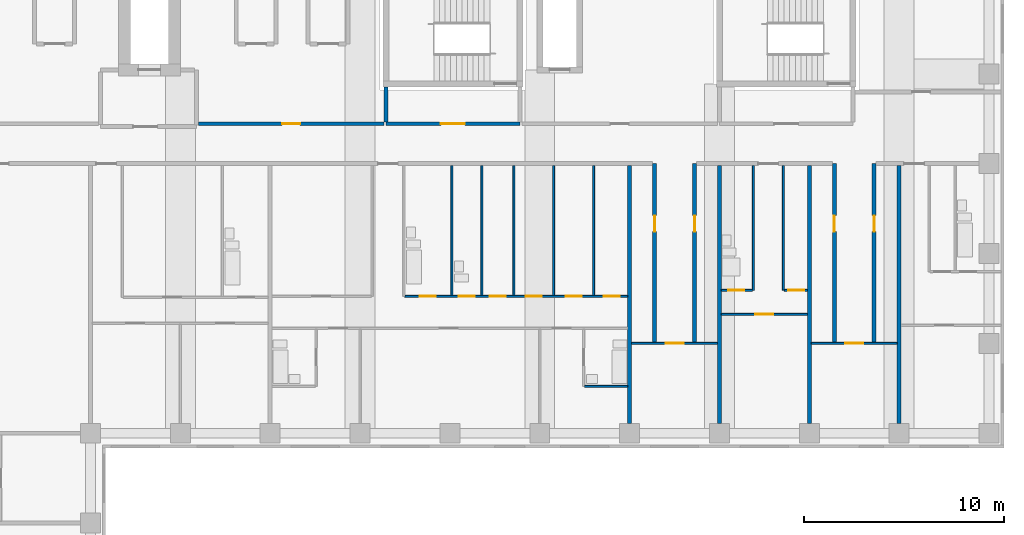
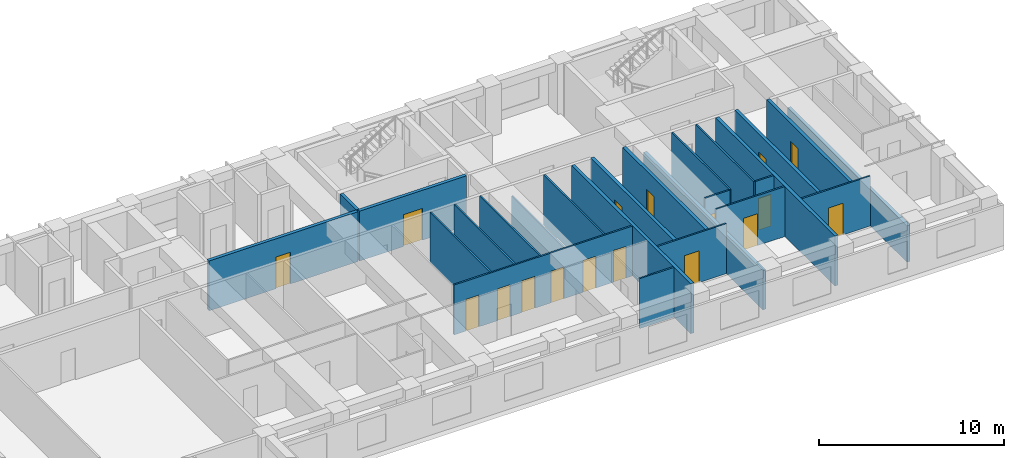
# One storey, part 7 of 12: 25 walls, 17 doors, 17 openings.
"""IFC4 building model written with IfcOpenShell, lengths in metres."""

from ifc_helpers import new_model, si_unit, direction, frame, frame_2d, origin, place, context, subcontext, project, spatial, rectangle, extrude, material, layer, layer_set, type_object, element, fill, save


model = new_model("IFC4")

# Units and contexts
model_context = context("Model", 3, precision=1e-05, world=origin(), true_north=direction((0.0, 1.0)))
body_context = subcontext(model_context, "Body", "Model", "MODEL_VIEW")
ifc_project = project(units=[si_unit("LENGTHUNIT", "METRE"), si_unit("AREAUNIT", "SQUARE_METRE"), si_unit("VOLUMEUNIT", "CUBIC_METRE"), si_unit("PLANEANGLEUNIT", "RADIAN"), si_unit("MASSUNIT", "GRAM", prefix="KILO")], contexts=[model_context])

# Site, building, storey
site_placement = place(None, origin())
site = spatial("IfcSite", under=ifc_project, at=site_placement, CompositionType="ELEMENT")
building_placement = place(site_placement, origin())
building = spatial("IfcBuilding", under=site, at=building_placement, Name="Firuza Court", CompositionType="ELEMENT")
storey_placement = place(building_placement, frame((0.0, 0.0, 126.800048828125)))
storey = spatial("IfcBuildingStorey", under=building, at=storey_placement, Name="L31", CompositionType="ELEMENT", Elevation=126.800048828125)

# Walls
ifc_material_1 = material(Name="Moisture-resistant gypsum board partition")
ifc_layer_1 = layer(ifc_material_1, 0.10009765625)
ifc_layer_set_1 = layer_set([ifc_layer_1], Name="Moisture-resistant gypsum board partition")
wall_type_1 = type_object("IfcWallType", Name="Bathroom partition 100", PredefinedType="PLUMBINGWALL", material=ifc_layer_set_1)
wall_1_placement = place(storey_placement, frame((47.25, 38.35009765625, 0.0), z_axis=(0.0, 0.0, 1.0), x_axis=(1.0, 0.0, 0.0)))
element("IfcWall", 1, at=wall_1_placement, inside=storey, type_object=wall_type_1, Name="Bathroom partition 100 L31", PredefinedType="PLUMBINGWALL", context=body_context, shape_type="SweptSolid", body=[
    extrude(rectangle(XDim=2.14990234375, YDim=0.10009765625, at=frame_2d((1.074951171875, 0.0))), origin(), (0.0, 0.0, 1.0), 3.300048828125),
])
for number, where, z_axis, x_axis, name in (
    (2, (40.60009765625, 42.89990234375, 0.0), (0.0, 0.0, 1.0), (0.0, 1.0, 0.0), "Bathroom partition 100 L31"),
    (3, (42.10009765625, 42.89990234375, 0.0), (0.0, 0.0, 1.0), (0.0, 1.0, 0.0), "Bathroom partition 100 L31"),
):
    element("IfcWall", number, at=place(storey_placement, frame(where, z_axis=z_axis, x_axis=x_axis)), inside=storey, type_object=wall_type_1, Name=name, PredefinedType="PLUMBINGWALL", context=body_context, shape_type="SweptSolid", body=[
        extrude(rectangle(XDim=6.5, YDim=0.10009765625, at=frame_2d((3.25, 0.0))), origin(), (0.0, 0.0, 1.0), 3.300048828125),
    ])
wall_2_placement = place(storey_placement, frame((55.699951171875, 43.14990234375, 0.0), z_axis=(0.0, 0.0, 1.0), x_axis=(0.0, 1.0, 0.0)))
element("IfcWall", 4, at=wall_2_placement, inside=storey, type_object=wall_type_1, Name="Bathroom partition 100 L31", PredefinedType="PLUMBINGWALL", context=body_context, shape_type="SweptSolid", body=[
    extrude(rectangle(XDim=6.25, YDim=0.10009765625, at=frame_2d((3.125, 0.0))), origin(), (0.0, 0.0, 1.0), 3.300048828125),
])

# Wall, opening, door
ifc_material_2 = material(Name="Blockwork, plastered both sides", Category="masonry")
ifc_layer_2 = layer(ifc_material_2, 0.199951171875)
ifc_layer_set_2 = layer_set([ifc_layer_2], Name="Blockwork, plastered both sides")
wall_type_2 = type_object("IfcWallType", Name="Corridor wall 200", PredefinedType="PARTITIONING", material=ifc_layer_set_2)
wall_3_placement = place(storey_placement, frame((50.75, 40.550048828125, 0.0), z_axis=(0.0, 0.0, 1.0), x_axis=(0.0, 1.0, 0.0)))
wall_3 = element("IfcWall", 5, at=wall_3_placement, inside=storey, type_object=wall_type_2, Name="Corridor wall 200 L31", PredefinedType="PARTITIONING", context=body_context, shape_type="SweptSolid", body=[
    extrude(rectangle(XDim=8.949951171875, YDim=0.199951171875, at=frame_2d((4.47509765625, 0.0))), origin(), (0.0, 0.0, 1.0), 3.300048828125),
])
opening_1_placement = place(wall_3_placement, frame((5.550048828125, 0.0, 0.0)))
opening_1 = element("IfcOpeningElement", 6, at=opening_1_placement, cuts=wall_3, Name="Opening D31042", PredefinedType="OPENING", context=body_context, shape_type="SweptSolid", body=[
    extrude(rectangle(XDim=0.800048828125, YDim=2.10009765625, at=frame_2d((0.39990234375, 1.050048828125))), frame((0.0, 0.11181640625, 0.0), z_axis=(0.0, -1.0, 0.0), x_axis=(1.0, 0.0, 0.0)), (0.0, 0.0, 1.0), 0.223876953125),
])
ifc_material_3 = material(Name="Timber door leaf in hardwood frame", Category="wood")
door_type_1 = type_object("IfcDoorType", Name="Room door 800 EI 30", OperationType="SINGLE_SWING_LEFT", PredefinedType="DOOR", material=ifc_material_3)
door_1_placement = place(opening_1_placement, origin())
door_1 = element("IfcDoor", 7, at=door_1_placement, inside=storey, type_object=door_type_1, Name="Store door", OperationType="SINGLE_SWING_RIGHT", OverallHeight=2.10009765625, OverallWidth=0.800048828125, PredefinedType="DOOR", context=body_context, shape_type="SweptSolid", body=[
    extrude(rectangle(XDim=0.800048828125, YDim=2.10009765625, at=frame_2d((0.39990234375, 1.050048828125))), frame((0.0, 0.02490234375, 0.0), z_axis=(0.0, -1.0, 0.0), x_axis=(1.0, 0.0, 0.0)), (0.0, 0.0, 1.0), 0.050048828125),
])
fill(opening_1, door_1)

wall_4_placement = place(storey_placement, frame((52.75, 40.550048828125, 0.0), z_axis=(0.0, 0.0, 1.0), x_axis=(0.0, 1.0, 0.0)))
wall_4 = element("IfcWall", 8, at=wall_4_placement, inside=storey, type_object=wall_type_2, Name="Corridor wall 200 L31", PredefinedType="PARTITIONING", context=body_context, shape_type="SweptSolid", body=[
    extrude(rectangle(XDim=8.949951171875, YDim=0.199951171875, at=frame_2d((4.47509765625, 0.0))), origin(), (0.0, 0.0, 1.0), 3.300048828125),
])
opening_2_placement = place(wall_4_placement, frame((5.550048828125, 0.0, 0.0)))
opening_2 = element("IfcOpeningElement", 9, at=opening_2_placement, cuts=wall_4, Name="Opening D31043", PredefinedType="OPENING", context=body_context, shape_type="SweptSolid", body=[
    extrude(rectangle(XDim=0.800048828125, YDim=2.10009765625, at=frame_2d((0.39990234375, 1.050048828125))), frame((0.0, 0.11181640625, 0.0), z_axis=(0.0, -1.0, 0.0), x_axis=(1.0, 0.0, 0.0)), (0.0, 0.0, 1.0), 0.223876953125),
])
door_2_placement = place(opening_2_placement, frame((0.800048828125, 0.0, 0.0), z_axis=(0.0, 0.0, 1.0), x_axis=(-1.0, 0.0, 0.0)))
door_2 = element("IfcDoor", 10, at=door_2_placement, inside=storey, type_object=door_type_1, Name="Store door", OperationType="SINGLE_SWING_LEFT", OverallHeight=2.10009765625, OverallWidth=0.800048828125, PredefinedType="DOOR", context=body_context, shape_type="SweptSolid", body=[
    extrude(rectangle(XDim=0.800048828125, YDim=2.10009765625, at=frame_2d((0.39990234375, 1.050048828125))), frame((0.0, 0.02490234375, 0.0), z_axis=(0.0, -1.0, 0.0), x_axis=(1.0, 0.0, 0.0)), (0.0, 0.0, 1.0), 0.050048828125),
])
fill(opening_2, door_2)

wall_5_placement = place(storey_placement, frame((59.75, 40.550048828125, 0.0), z_axis=(0.0, 0.0, 1.0), x_axis=(0.0, 1.0, 0.0)))
wall_5 = element("IfcWall", 11, at=wall_5_placement, inside=storey, type_object=wall_type_2, Name="Corridor wall 200 L31", PredefinedType="PARTITIONING", context=body_context, shape_type="SweptSolid", body=[
    extrude(rectangle(XDim=8.949951171875, YDim=0.199951171875, at=frame_2d((4.47509765625, 0.0))), origin(), (0.0, 0.0, 1.0), 3.300048828125),
])
opening_3_placement = place(wall_5_placement, frame((5.550048828125, 0.0, 0.0)))
opening_3 = element("IfcOpeningElement", 12, at=opening_3_placement, cuts=wall_5, Name="Opening D31044", PredefinedType="OPENING", context=body_context, shape_type="SweptSolid", body=[
    extrude(rectangle(XDim=0.800048828125, YDim=2.10009765625, at=frame_2d((0.39990234375, 1.050048828125))), frame((0.0, 0.11181640625, 0.0), z_axis=(0.0, -1.0, 0.0), x_axis=(1.0, 0.0, 0.0)), (0.0, 0.0, 1.0), 0.223876953125),
])
door_3_placement = place(opening_3_placement, origin())
door_3 = element("IfcDoor", 13, at=door_3_placement, inside=storey, type_object=door_type_1, Name="Store door", OperationType="SINGLE_SWING_RIGHT", OverallHeight=2.10009765625, OverallWidth=0.800048828125, PredefinedType="DOOR", context=body_context, shape_type="SweptSolid", body=[
    extrude(rectangle(XDim=0.800048828125, YDim=2.10009765625, at=frame_2d((0.39990234375, 1.050048828125))), frame((0.0, 0.02490234375, 0.0), z_axis=(0.0, -1.0, 0.0), x_axis=(1.0, 0.0, 0.0)), (0.0, 0.0, 1.0), 0.050048828125),
])
fill(opening_3, door_3)

wall_6_placement = place(storey_placement, frame((61.75, 40.550048828125, 0.0), z_axis=(0.0, 0.0, 1.0), x_axis=(0.0, 1.0, 0.0)))
wall_6 = element("IfcWall", 14, at=wall_6_placement, inside=storey, type_object=wall_type_2, Name="Corridor wall 200 L31", PredefinedType="PARTITIONING", context=body_context, shape_type="SweptSolid", body=[
    extrude(rectangle(XDim=8.949951171875, YDim=0.199951171875, at=frame_2d((4.47509765625, 0.0))), origin(), (0.0, 0.0, 1.0), 3.300048828125),
])
opening_4_placement = place(wall_6_placement, frame((5.550048828125, 0.0, 0.0)))
opening_4 = element("IfcOpeningElement", 15, at=opening_4_placement, cuts=wall_6, Name="Opening D31045", PredefinedType="OPENING", context=body_context, shape_type="SweptSolid", body=[
    extrude(rectangle(XDim=0.800048828125, YDim=2.10009765625, at=frame_2d((0.39990234375, 1.050048828125))), frame((0.0, 0.11181640625, 0.0), z_axis=(0.0, -1.0, 0.0), x_axis=(1.0, 0.0, 0.0)), (0.0, 0.0, 1.0), 0.223876953125),
])
door_4_placement = place(opening_4_placement, frame((0.800048828125, 0.0, 0.0), z_axis=(0.0, 0.0, 1.0), x_axis=(-1.0, 0.0, 0.0)))
door_4 = element("IfcDoor", 16, at=door_4_placement, inside=storey, type_object=door_type_1, Name="Store door", OperationType="SINGLE_SWING_LEFT", OverallHeight=2.10009765625, OverallWidth=0.800048828125, PredefinedType="DOOR", context=body_context, shape_type="SweptSolid", body=[
    extrude(rectangle(XDim=0.800048828125, YDim=2.10009765625, at=frame_2d((0.39990234375, 1.050048828125))), frame((0.0, 0.02490234375, 0.0), z_axis=(0.0, -1.0, 0.0), x_axis=(1.0, 0.0, 0.0)), (0.0, 0.0, 1.0), 0.050048828125),
])
fill(opening_4, door_4)

wall_7_placement = place(storey_placement, frame((27.89990234375, 51.5, 0.0), z_axis=(0.0, 0.0, 1.0), x_axis=(1.0, 0.0, 0.0)))
wall_7 = element("IfcWall", 17, at=wall_7_placement, inside=storey, type_object=wall_type_2, Name="Corridor wall 200 L31", PredefinedType="PARTITIONING", context=body_context, shape_type="SweptSolid", body=[
    extrude(rectangle(XDim=9.300048828125, YDim=0.199951171875, at=frame_2d((4.64990234375, 0.0))), origin(), (0.0, 0.0, 1.0), 3.300048828125),
])
opening_5_placement = place(wall_7_placement, frame((4.199951171875, 0.0, 0.0)))
opening_5 = element("IfcOpeningElement", 18, at=opening_5_placement, cuts=wall_7, Name="Opening D31072", PredefinedType="OPENING", context=body_context, shape_type="SweptSolid", body=[
    extrude(rectangle(XDim=0.89990234375, YDim=2.10009765625, at=frame_2d((0.449951171875, 1.050048828125))), frame((0.0, 0.11181640625, 0.0), z_axis=(0.0, -1.0, 0.0), x_axis=(1.0, 0.0, 0.0)), (0.0, 0.0, 1.0), 0.223876953125),
])
ifc_material_4 = material(Name="Timber door leaf in hardwood frame", Category="wood")
door_type_2 = type_object("IfcDoorType", Name="Room door 900 EI 30", OperationType="SINGLE_SWING_LEFT", PredefinedType="DOOR", material=ifc_material_4)
door_5_placement = place(opening_5_placement, origin())
door_5 = element("IfcDoor", 19, at=door_5_placement, inside=storey, type_object=door_type_2, Name="Meeting room door", OperationType="SINGLE_SWING_LEFT", OverallHeight=2.10009765625, OverallWidth=0.89990234375, PredefinedType="DOOR", context=body_context, shape_type="SweptSolid", body=[
    extrude(rectangle(XDim=0.89990234375, YDim=2.10009765625, at=frame_2d((0.449951171875, 1.050048828125))), frame((0.0, 0.02490234375, 0.0), z_axis=(0.0, -1.0, 0.0), x_axis=(1.0, 0.0, 0.0)), (0.0, 0.0, 1.0), 0.050048828125),
])
fill(opening_5, door_5)

ifc_material_5 = material(Name="Timber stud partition, plasterboard both sides", Category="wood")
ifc_layer_3 = layer(ifc_material_5, 0.10009765625)
ifc_layer_set_3 = layer_set([ifc_layer_3], Name="Timber stud partition, plasterboard both sides")
wall_type_3 = type_object("IfcWallType", Name="Partition wall 100", PredefinedType="PARTITIONING", material=ifc_layer_set_3)
wall_8_placement = place(storey_placement, frame((49.60009765625, 40.5, 0.0), z_axis=(0.0, 0.0, 1.0), x_axis=(1.0, 0.0, 0.0)))
wall_8 = element("IfcWall", 20, at=wall_8_placement, inside=storey, type_object=wall_type_3, Name="Partition wall 100 L31", PredefinedType="PARTITIONING", context=body_context, shape_type="SweptSolid", body=[
    extrude(rectangle(XDim=4.2998046875, YDim=0.10009765625, at=frame_2d((2.14990234375, 0.0))), origin(), (0.0, 0.0, 1.0), 3.300048828125),
])
opening_6_placement = place(wall_8_placement, frame((1.699951171875, 0.0, 0.0)))
opening_6 = element("IfcOpeningElement", 21, at=opening_6_placement, cuts=wall_8, Name="Opening D31040", PredefinedType="OPENING", context=body_context, shape_type="SweptSolid", body=[
    extrude(rectangle(XDim=0.89990234375, YDim=2.10009765625, at=frame_2d((0.449951171875, 1.050048828125))), frame((0.0, 0.06201171875, 0.0), z_axis=(0.0, -1.0, 0.0), x_axis=(1.0, 0.0, 0.0)), (0.0, 0.0, 1.0), 0.1240234375),
])
ifc_material_6 = material(Name="Timber door leaf in hardwood frame", Category="wood")
door_type_3 = type_object("IfcDoorType", Name="Room door 900", OperationType="SINGLE_SWING_LEFT", PredefinedType="DOOR", material=ifc_material_6)
door_6_placement = place(opening_6_placement, origin())
door_6 = element("IfcDoor", 22, at=door_6_placement, inside=storey, type_object=door_type_3, Name="Sky lounge door", OperationType="SINGLE_SWING_LEFT", OverallHeight=2.10009765625, OverallWidth=0.89990234375, PredefinedType="DOOR", context=body_context, shape_type="SweptSolid", body=[
    extrude(rectangle(XDim=0.89990234375, YDim=2.10009765625, at=frame_2d((0.449951171875, 1.050048828125))), frame((0.0, 0.02490234375, 0.0), z_axis=(0.0, -1.0, 0.0), x_axis=(1.0, 0.0, 0.0)), (0.0, 0.0, 1.0), 0.050048828125),
])
fill(opening_6, door_6)

wall_9_placement = place(storey_placement, frame((58.60009765625, 40.5, 0.0), z_axis=(0.0, 0.0, 1.0), x_axis=(1.0, 0.0, 0.0)))
wall_9 = element("IfcWall", 23, at=wall_9_placement, inside=storey, type_object=wall_type_3, Name="Partition wall 100 L31", PredefinedType="PARTITIONING", context=body_context, shape_type="SweptSolid", body=[
    extrude(rectangle(XDim=4.2998046875, YDim=0.10009765625, at=frame_2d((2.14990234375, 0.0))), origin(), (0.0, 0.0, 1.0), 3.300048828125),
])
opening_7_placement = place(wall_9_placement, frame((1.699951171875, 0.0, 0.0)))
opening_7 = element("IfcOpeningElement", 24, at=opening_7_placement, cuts=wall_9, Name="Opening D31041", PredefinedType="OPENING", context=body_context, shape_type="SweptSolid", body=[
    extrude(rectangle(XDim=0.89990234375, YDim=2.10009765625, at=frame_2d((0.449951171875, 1.050048828125))), frame((0.0, 0.06201171875, 0.0), z_axis=(0.0, -1.0, 0.0), x_axis=(1.0, 0.0, 0.0)), (0.0, 0.0, 1.0), 0.1240234375),
])
door_7_placement = place(opening_7_placement, origin())
door_7 = element("IfcDoor", 25, at=door_7_placement, inside=storey, type_object=door_type_3, Name="Residents' lounge door", OperationType="SINGLE_SWING_LEFT", OverallHeight=2.10009765625, OverallWidth=0.89990234375, PredefinedType="DOOR", context=body_context, shape_type="SweptSolid", body=[
    extrude(rectangle(XDim=0.89990234375, YDim=2.10009765625, at=frame_2d((0.449951171875, 1.050048828125))), frame((0.0, 0.02490234375, 0.0), z_axis=(0.0, -1.0, 0.0), x_axis=(1.0, 0.0, 0.0)), (0.0, 0.0, 1.0), 0.050048828125),
])
fill(opening_7, door_7)

wall_10_placement = place(storey_placement, frame((54.10009765625, 41.949951171875, 0.0), z_axis=(0.0, 0.0, 1.0), x_axis=(1.0, 0.0, 0.0)))
wall_10 = element("IfcWall", 26, at=wall_10_placement, inside=storey, type_object=wall_type_3, Name="Partition wall 100 L31", PredefinedType="PARTITIONING", context=body_context, shape_type="SweptSolid", body=[
    extrude(rectangle(XDim=4.2998046875, YDim=0.10009765625, at=frame_2d((2.14990234375, 0.0))), origin(), (0.0, 0.0, 1.0), 3.300048828125),
])
opening_8_placement = place(wall_10_placement, frame((1.699951171875, 0.0, 0.0)))
opening_8 = element("IfcOpeningElement", 27, at=opening_8_placement, cuts=wall_10, Name="Opening D31052", PredefinedType="OPENING", context=body_context, shape_type="SweptSolid", body=[
    extrude(rectangle(XDim=0.89990234375, YDim=2.10009765625, at=frame_2d((0.449951171875, 1.050048828125))), frame((0.0, 0.06201171875, 0.0), z_axis=(0.0, -1.0, 0.0), x_axis=(1.0, 0.0, 0.0)), (0.0, 0.0, 1.0), 0.1240234375),
])
door_8_placement = place(opening_8_placement, frame((0.89990234375, 0.0, 0.0), z_axis=(0.0, 0.0, 1.0), x_axis=(-1.0, 0.0, 0.0)))
door_8 = element("IfcDoor", 28, at=door_8_placement, inside=storey, type_object=door_type_3, Name="Studio room door", OperationType="SINGLE_SWING_RIGHT", OverallHeight=2.10009765625, OverallWidth=0.89990234375, PredefinedType="DOOR", context=body_context, shape_type="SweptSolid", body=[
    extrude(rectangle(XDim=0.89990234375, YDim=2.10009765625, at=frame_2d((0.449951171875, 1.050048828125))), frame((0.0, 0.02490234375, 0.0), z_axis=(0.0, -1.0, 0.0), x_axis=(1.0, 0.0, 0.0)), (0.0, 0.0, 1.0), 0.050048828125),
])
fill(opening_8, door_8)

# Wall, openings, doors
wall_11_placement = place(storey_placement, frame((38.25, 42.85009765625, 0.0), z_axis=(0.0, 0.0, 1.0), x_axis=(1.0, 0.0, 0.0)))
wall_11 = element("IfcWall", 29, at=wall_11_placement, inside=storey, type_object=wall_type_3, Name="Partition wall 100 L31", PredefinedType="PARTITIONING", context=body_context, shape_type="SweptSolid", body=[
    extrude(rectangle(XDim=11.14990234375, YDim=0.10009765625, at=frame_2d((5.574951171875, 0.0))), origin(), (0.0, 0.0, 1.0), 3.300048828125),
])
opening_9_placement = place(wall_11_placement, frame((0.75, 0.0, 0.0)))
opening_9 = element("IfcOpeningElement", 30, at=opening_9_placement, cuts=wall_11, Name="Opening D31056", PredefinedType="OPENING", context=body_context, shape_type="SweptSolid", body=[
    extrude(rectangle(XDim=0.800048828125, YDim=2.10009765625, at=frame_2d((0.39990234375, 1.050048828125))), frame((0.0, 0.06201171875, 0.0), z_axis=(0.0, -1.0, 0.0), x_axis=(1.0, 0.0, 0.0)), (0.0, 0.0, 1.0), 0.1240234375),
])
opening_10_placement = place(wall_11_placement, frame((8.050048828125, 0.0, 0.0)))
opening_10 = element("IfcOpeningElement", 31, at=opening_10_placement, cuts=wall_11, Name="Opening D31057", PredefinedType="OPENING", context=body_context, shape_type="SweptSolid", body=[
    extrude(rectangle(XDim=0.800048828125, YDim=2.10009765625, at=frame_2d((0.39990234375, 1.050048828125))), frame((0.0, 0.06201171875, 0.0), z_axis=(0.0, -1.0, 0.0), x_axis=(1.0, 0.0, 0.0)), (0.0, 0.0, 1.0), 0.1240234375),
])
opening_11_placement = place(wall_11_placement, frame((4.25, 0.0, 0.0)))
opening_11 = element("IfcOpeningElement", 32, at=opening_11_placement, cuts=wall_11, Name="Opening D31058", PredefinedType="OPENING", context=body_context, shape_type="SweptSolid", body=[
    extrude(rectangle(XDim=0.800048828125, YDim=2.10009765625, at=frame_2d((0.39990234375, 1.050048828125))), frame((0.0, 0.06201171875, 0.0), z_axis=(0.0, -1.0, 0.0), x_axis=(1.0, 0.0, 0.0)), (0.0, 0.0, 1.0), 0.1240234375),
])
opening_12_placement = place(wall_11_placement, frame((6.050048828125, 0.0, 0.0)))
opening_12 = element("IfcOpeningElement", 33, at=opening_12_placement, cuts=wall_11, Name="Opening D31059", PredefinedType="OPENING", context=body_context, shape_type="SweptSolid", body=[
    extrude(rectangle(XDim=0.800048828125, YDim=2.10009765625, at=frame_2d((0.39990234375, 1.050048828125))), frame((0.0, 0.06201171875, 0.0), z_axis=(0.0, -1.0, 0.0), x_axis=(1.0, 0.0, 0.0)), (0.0, 0.0, 1.0), 0.1240234375),
])
opening_13_placement = place(wall_11_placement, frame((9.949951171875, 0.0, 0.0)))
opening_13 = element("IfcOpeningElement", 34, at=opening_13_placement, cuts=wall_11, Name="Opening D31060", PredefinedType="OPENING", context=body_context, shape_type="SweptSolid", body=[
    extrude(rectangle(XDim=0.800048828125, YDim=2.10009765625, at=frame_2d((0.39990234375, 1.050048828125))), frame((0.0, 0.06201171875, 0.0), z_axis=(0.0, -1.0, 0.0), x_axis=(1.0, 0.0, 0.0)), (0.0, 0.0, 1.0), 0.1240234375),
])
opening_14_placement = place(wall_11_placement, frame((2.699951171875, 0.0, 0.0)))
opening_14 = element("IfcOpeningElement", 35, at=opening_14_placement, cuts=wall_11, Name="Opening D31061", PredefinedType="OPENING", context=body_context, shape_type="SweptSolid", body=[
    extrude(rectangle(XDim=0.800048828125, YDim=2.10009765625, at=frame_2d((0.39990234375, 1.050048828125))), frame((0.0, 0.06201171875, 0.0), z_axis=(0.0, -1.0, 0.0), x_axis=(1.0, 0.0, 0.0)), (0.0, 0.0, 1.0), 0.1240234375),
])
ifc_material_7 = material(Name="Timber door leaf in hardwood frame", Category="wood")
door_type_4 = type_object("IfcDoorType", Name="Bathroom door 800", OperationType="SINGLE_SWING_LEFT", PredefinedType="DOOR", material=ifc_material_7)
door_9_placement = place(opening_9_placement, origin())
door_9 = element("IfcDoor", 36, at=door_9_placement, inside=storey, type_object=door_type_4, Name="Bathroom door", OperationType="SINGLE_SWING_LEFT", OverallHeight=2.10009765625, OverallWidth=0.800048828125, PredefinedType="DOOR", context=body_context, shape_type="SweptSolid", body=[
    extrude(rectangle(XDim=0.800048828125, YDim=2.10009765625, at=frame_2d((0.39990234375, 1.050048828125))), frame((0.0, 0.02490234375, 0.0), z_axis=(0.0, -1.0, 0.0), x_axis=(1.0, 0.0, 0.0)), (0.0, 0.0, 1.0), 0.050048828125),
])
fill(opening_9, door_9)
door_10_placement = place(opening_14_placement, origin())
door_10 = element("IfcDoor", 37, at=door_10_placement, inside=storey, type_object=door_type_4, Name="Powder room door", OperationType="SINGLE_SWING_LEFT", OverallHeight=2.10009765625, OverallWidth=0.800048828125, PredefinedType="DOOR", context=body_context, shape_type="SweptSolid", body=[
    extrude(rectangle(XDim=0.800048828125, YDim=2.10009765625, at=frame_2d((0.39990234375, 1.050048828125))), frame((0.0, 0.02490234375, 0.0), z_axis=(0.0, -1.0, 0.0), x_axis=(1.0, 0.0, 0.0)), (0.0, 0.0, 1.0), 0.050048828125),
])
fill(opening_14, door_10)
ifc_material_8 = material(Name="Timber door leaf in hardwood frame", Category="wood")
door_type_5 = type_object("IfcDoorType", Name="Room door 800", OperationType="SINGLE_SWING_LEFT", PredefinedType="DOOR", material=ifc_material_8)
door_11_placement = place(opening_10_placement, origin())
door_11 = element("IfcDoor", 38, at=door_11_placement, inside=storey, type_object=door_type_5, Name="Pantry door", OperationType="SINGLE_SWING_LEFT", OverallHeight=2.10009765625, OverallWidth=0.800048828125, PredefinedType="DOOR", context=body_context, shape_type="SweptSolid", body=[
    extrude(rectangle(XDim=0.800048828125, YDim=2.10009765625, at=frame_2d((0.39990234375, 1.050048828125))), frame((0.0, 0.02490234375, 0.0), z_axis=(0.0, -1.0, 0.0), x_axis=(1.0, 0.0, 0.0)), (0.0, 0.0, 1.0), 0.050048828125),
])
fill(opening_10, door_11)
door_12_placement = place(opening_11_placement, origin())
door_12 = element("IfcDoor", 39, at=door_12_placement, inside=storey, type_object=door_type_5, Name="Store door", OperationType="SINGLE_SWING_LEFT", OverallHeight=2.10009765625, OverallWidth=0.800048828125, PredefinedType="DOOR", context=body_context, shape_type="SweptSolid", body=[
    extrude(rectangle(XDim=0.800048828125, YDim=2.10009765625, at=frame_2d((0.39990234375, 1.050048828125))), frame((0.0, 0.02490234375, 0.0), z_axis=(0.0, -1.0, 0.0), x_axis=(1.0, 0.0, 0.0)), (0.0, 0.0, 1.0), 0.050048828125),
])
fill(opening_11, door_12)
door_13_placement = place(opening_12_placement, origin())
door_13 = element("IfcDoor", 40, at=door_13_placement, inside=storey, type_object=door_type_5, Name="Utility room door", OperationType="SINGLE_SWING_LEFT", OverallHeight=2.10009765625, OverallWidth=0.800048828125, PredefinedType="DOOR", context=body_context, shape_type="SweptSolid", body=[
    extrude(rectangle(XDim=0.800048828125, YDim=2.10009765625, at=frame_2d((0.39990234375, 1.050048828125))), frame((0.0, 0.02490234375, 0.0), z_axis=(0.0, -1.0, 0.0), x_axis=(1.0, 0.0, 0.0)), (0.0, 0.0, 1.0), 0.050048828125),
])
fill(opening_12, door_13)
door_14_placement = place(opening_13_placement, origin())
door_14 = element("IfcDoor", 41, at=door_14_placement, inside=storey, type_object=door_type_5, Name="Walk-in wardrobe door", OperationType="SINGLE_SWING_LEFT", OverallHeight=2.10009765625, OverallWidth=0.800048828125, PredefinedType="DOOR", context=body_context, shape_type="SweptSolid", body=[
    extrude(rectangle(XDim=0.800048828125, YDim=2.10009765625, at=frame_2d((0.39990234375, 1.050048828125))), frame((0.0, 0.02490234375, 0.0), z_axis=(0.0, -1.0, 0.0), x_axis=(1.0, 0.0, 0.0)), (0.0, 0.0, 1.0), 0.050048828125),
])
fill(opening_13, door_14)

# Walls
wall_12_placement = place(storey_placement, frame((43.699951171875, 42.89990234375, 0.0), z_axis=(0.0, 0.0, 1.0), x_axis=(0.0, 1.0, 0.0)))
element("IfcWall", 42, at=wall_12_placement, inside=storey, type_object=wall_type_3, Name="Partition wall 100 L31", PredefinedType="PARTITIONING", context=body_context, shape_type="SweptSolid", body=[
    extrude(rectangle(XDim=6.5, YDim=0.10009765625, at=frame_2d((3.25, 0.0))), origin(), (0.0, 0.0, 1.0), 3.300048828125),
])
wall_13_placement = place(storey_placement, frame((45.699951171875, 42.89990234375, 0.0), z_axis=(0.0, 0.0, 1.0), x_axis=(0.0, 1.0, 0.0)))
element("IfcWall", 43, at=wall_13_placement, inside=storey, type_object=wall_type_3, Name="Partition wall 100 L31", PredefinedType="PARTITIONING", context=body_context, shape_type="SweptSolid", body=[
    extrude(rectangle(XDim=6.5, YDim=0.10009765625, at=frame_2d((3.25, 0.0))), origin(), (0.0, 0.0, 1.0), 2.599853515625),
])
wall_14_placement = place(storey_placement, frame((47.699951171875, 42.89990234375, 0.0), z_axis=(0.0, 0.0, 1.0), x_axis=(0.0, 1.0, 0.0)))
element("IfcWall", 44, at=wall_14_placement, inside=storey, type_object=wall_type_3, Name="Partition wall 100 L31", PredefinedType="PARTITIONING", context=body_context, shape_type="SweptSolid", body=[
    extrude(rectangle(XDim=6.5, YDim=0.10009765625, at=frame_2d((3.25, 0.0))), origin(), (0.0, 0.0, 1.0), 3.300048828125),
])

# Wall, opening, door
wall_15_placement = place(storey_placement, frame((54.10009765625, 43.14990234375, 0.0), z_axis=(0.0, 0.0, 1.0), x_axis=(1.0, 0.0, 0.0)))
wall_15 = element("IfcWall", 45, at=wall_15_placement, inside=storey, type_object=wall_type_3, Name="Partition wall 100 L31", PredefinedType="PARTITIONING", context=body_context, shape_type="SweptSolid", body=[
    extrude(rectangle(XDim=1.5498046875, YDim=0.10009765625, at=frame_2d((0.77490234375, 0.0))), origin(), (0.0, 0.0, 1.0), 3.300048828125),
])
opening_15_placement = place(wall_15_placement, frame((0.35009765625, 0.0, 0.0)))
opening_15 = element("IfcOpeningElement", 46, at=opening_15_placement, cuts=wall_15, Name="Opening D31062", PredefinedType="OPENING", context=body_context, shape_type="SweptSolid", body=[
    extrude(rectangle(XDim=0.800048828125, YDim=2.10009765625, at=frame_2d((0.39990234375, 1.050048828125))), frame((0.0, 0.06201171875, 0.0), z_axis=(0.0, -1.0, 0.0), x_axis=(1.0, 0.0, 0.0)), (0.0, 0.0, 1.0), 0.1240234375),
])
door_15_placement = place(opening_15_placement, origin())
door_15 = element("IfcDoor", 47, at=door_15_placement, inside=storey, type_object=door_type_4, Name="Bathroom door", OperationType="SINGLE_SWING_LEFT", OverallHeight=2.10009765625, OverallWidth=0.800048828125, PredefinedType="DOOR", context=body_context, shape_type="SweptSolid", body=[
    extrude(rectangle(XDim=0.800048828125, YDim=2.10009765625, at=frame_2d((0.39990234375, 1.050048828125))), frame((0.0, 0.02490234375, 0.0), z_axis=(0.0, -1.0, 0.0), x_axis=(1.0, 0.0, 0.0)), (0.0, 0.0, 1.0), 0.050048828125),
])
fill(opening_15, door_15)

# Wall
wall_16_placement = place(storey_placement, frame((57.199951171875, 43.14990234375, 0.0), z_axis=(0.0, 0.0, 1.0), x_axis=(0.0, 1.0, 0.0)))
element("IfcWall", 48, at=wall_16_placement, inside=storey, type_object=wall_type_3, Name="Partition wall 100 L31", PredefinedType="PARTITIONING", context=body_context, shape_type="SweptSolid", body=[
    extrude(rectangle(XDim=6.25, YDim=0.10009765625, at=frame_2d((3.125, 0.0))), origin(), (0.0, 0.0, 1.0), 3.300048828125),
])

# Wall, opening, door
wall_17_placement = place(storey_placement, frame((57.25, 43.14990234375, 0.0), z_axis=(0.0, 0.0, 1.0), x_axis=(1.0, 0.0, 0.0)))
wall_17 = element("IfcWall", 49, at=wall_17_placement, inside=storey, type_object=wall_type_3, Name="Partition wall 100 L31", PredefinedType="PARTITIONING", context=body_context, shape_type="SweptSolid", body=[
    extrude(rectangle(XDim=1.14990234375, YDim=0.10009765625, at=frame_2d((0.574951171875, 0.0))), origin(), (0.0, 0.0, 1.0), 3.300048828125),
])
opening_16_placement = place(wall_17_placement, frame((0.199951171875, 0.0, 0.0)))
opening_16 = element("IfcOpeningElement", 50, at=opening_16_placement, cuts=wall_17, Name="Opening D31063", PredefinedType="OPENING", context=body_context, shape_type="SweptSolid", body=[
    extrude(rectangle(XDim=0.800048828125, YDim=2.10009765625, at=frame_2d((0.39990234375, 1.050048828125))), frame((0.0, 0.06201171875, 0.0), z_axis=(0.0, -1.0, 0.0), x_axis=(1.0, 0.0, 0.0)), (0.0, 0.0, 1.0), 0.1240234375),
])
door_16_placement = place(opening_16_placement, origin())
door_16 = element("IfcDoor", 51, at=door_16_placement, inside=storey, type_object=door_type_5, Name="Kitchen door", OperationType="SINGLE_SWING_LEFT", OverallHeight=2.10009765625, OverallWidth=0.800048828125, PredefinedType="DOOR", context=body_context, shape_type="SweptSolid", body=[
    extrude(rectangle(XDim=0.800048828125, YDim=2.10009765625, at=frame_2d((0.39990234375, 1.050048828125))), frame((0.0, 0.02490234375, 0.0), z_axis=(0.0, -1.0, 0.0), x_axis=(1.0, 0.0, 0.0)), (0.0, 0.0, 1.0), 0.050048828125),
])
fill(opening_16, door_16)

# Walls
ifc_layer_4 = layer(ifc_material_2, 0.199951171875)
ifc_layer_set_4 = layer_set([ifc_layer_4], Name="Blockwork, plastered both sides")
wall_type_4 = type_object("IfcWallType", Name="Party wall 200", PredefinedType="PARTITIONING", material=ifc_layer_set_4)
wall_18_placement = place(storey_placement, frame((49.5, 36.5, 0.0), z_axis=(0.0, 0.0, 1.0), x_axis=(0.0, 1.0, 0.0)))
element("IfcWall", 52, at=wall_18_placement, inside=storey, type_object=wall_type_4, Name="Party wall 200 L31", PredefinedType="PARTITIONING", context=body_context, shape_type="SweptSolid", body=[
    extrude(rectangle(XDim=12.89990234375, YDim=0.199951171875, at=frame_2d((6.449951171875, 0.0))), origin(), (0.0, 0.0, 1.0), 3.300048828125),
])
wall_19_placement = place(storey_placement, frame((54.0, 36.5, 0.0), z_axis=(0.0, 0.0, 1.0), x_axis=(0.0, 1.0, 0.0)))
element("IfcWall", 53, at=wall_19_placement, inside=storey, type_object=wall_type_4, Name="Party wall 200 L31", PredefinedType="PARTITIONING", context=body_context, shape_type="SweptSolid", body=[
    extrude(rectangle(XDim=12.89990234375, YDim=0.199951171875, at=frame_2d((6.449951171875, 0.0))), origin(), (0.0, 0.0, 1.0), 2.599853515625),
])
wall_20_placement = place(storey_placement, frame((58.5, 36.5, 0.0), z_axis=(0.0, 0.0, 1.0), x_axis=(0.0, 1.0, 0.0)))
element("IfcWall", 54, at=wall_20_placement, inside=storey, type_object=wall_type_4, Name="Party wall 200 L31", PredefinedType="PARTITIONING", context=body_context, shape_type="SweptSolid", body=[
    extrude(rectangle(XDim=12.89990234375, YDim=0.199951171875, at=frame_2d((6.449951171875, 0.0))), origin(), (0.0, 0.0, 1.0), 3.300048828125),
])
wall_21_placement = place(storey_placement, frame((63.0, 36.5, 0.0), z_axis=(0.0, 0.0, 1.0), x_axis=(0.0, 1.0, 0.0)))
element("IfcWall", 55, at=wall_21_placement, inside=storey, type_object=wall_type_4, Name="Party wall 200 L31", PredefinedType="PARTITIONING", context=body_context, shape_type="SweptSolid", body=[
    extrude(rectangle(XDim=12.89990234375, YDim=0.199951171875, at=frame_2d((6.449951171875, 0.0))), origin(), (0.0, 0.0, 1.0), 2.39990234375),
])

# Wall, opening, door
ifc_material_9 = material(Name="Blockwork, fire-rated", Category="masonry")
ifc_layer_5 = layer(ifc_material_9, 0.199951171875)
ifc_layer_set_5 = layer_set([ifc_layer_5], Name="Blockwork, fire-rated")
wall_type_5 = type_object("IfcWallType", Name="Shaft wall 200", PredefinedType="PARTITIONING", material=ifc_layer_set_5)
wall_22_placement = place(storey_placement, frame((37.300048828125, 51.5, 0.0), z_axis=(0.0, 0.0, 1.0), x_axis=(1.0, 0.0, 0.0)))
wall_22 = element("IfcWall", 56, at=wall_22_placement, inside=storey, type_object=wall_type_5, Name="Shaft wall 200 L31", PredefinedType="PARTITIONING", context=body_context, shape_type="SweptSolid", body=[
    extrude(rectangle(XDim=6.699951171875, YDim=0.199951171875, at=frame_2d((3.35009765625, 0.0))), origin(), (0.0, 0.0, 1.0), 3.300048828125),
])
opening_17_placement = place(wall_22_placement, frame((2.75, 0.0, 0.0)))
opening_17 = element("IfcOpeningElement", 57, at=opening_17_placement, cuts=wall_22, Name="Opening D31006", PredefinedType="OPENING", context=body_context, shape_type="SweptSolid", body=[
    extrude(rectangle(XDim=1.199951171875, YDim=2.10009765625, at=frame_2d((0.60009765625, 1.050048828125))), frame((0.0, 0.11181640625, 0.0), z_axis=(0.0, -1.0, 0.0), x_axis=(1.0, 0.0, 0.0)), (0.0, 0.0, 1.0), 0.223876953125),
])
ifc_material_10 = material(Name="Timber door leaf in hardwood frame", Category="wood")
door_type_6 = type_object("IfcDoorType", Name="Lobby door 1200", OperationType="SINGLE_SWING_LEFT", PredefinedType="DOOR", material=ifc_material_10)
door_17_placement = place(opening_17_placement, origin())
door_17 = element("IfcDoor", 58, at=door_17_placement, inside=storey, type_object=door_type_6, Name="Lobby door", OperationType="SINGLE_SWING_LEFT", OverallHeight=2.10009765625, OverallWidth=1.199951171875, PredefinedType="DOOR", context=body_context, shape_type="SweptSolid", body=[
    extrude(rectangle(XDim=1.199951171875, YDim=2.10009765625, at=frame_2d((0.60009765625, 1.050048828125))), frame((0.0, 0.02490234375, 0.0), z_axis=(0.0, -1.0, 0.0), x_axis=(1.0, 0.0, 0.0)), (0.0, 0.0, 1.0), 0.050048828125),
])
fill(opening_17, door_17)

# Wall
wall_23_placement = place(storey_placement, frame((37.300048828125, 51.60009765625, 0.0), z_axis=(0.0, 0.0, 1.0), x_axis=(0.0, 1.0, 0.0)))
element("IfcWall", 59, at=wall_23_placement, inside=storey, type_object=wall_type_5, Name="Shaft wall 200 L31", PredefinedType="PARTITIONING", context=body_context, shape_type="SweptSolid", body=[
    extrude(rectangle(XDim=1.72998046875, YDim=0.199951171875, at=frame_2d((0.864990234375, 0.0))), origin(), (0.0, 0.0, 1.0), 3.300048828125),
])

save(model, "model.ifc")
